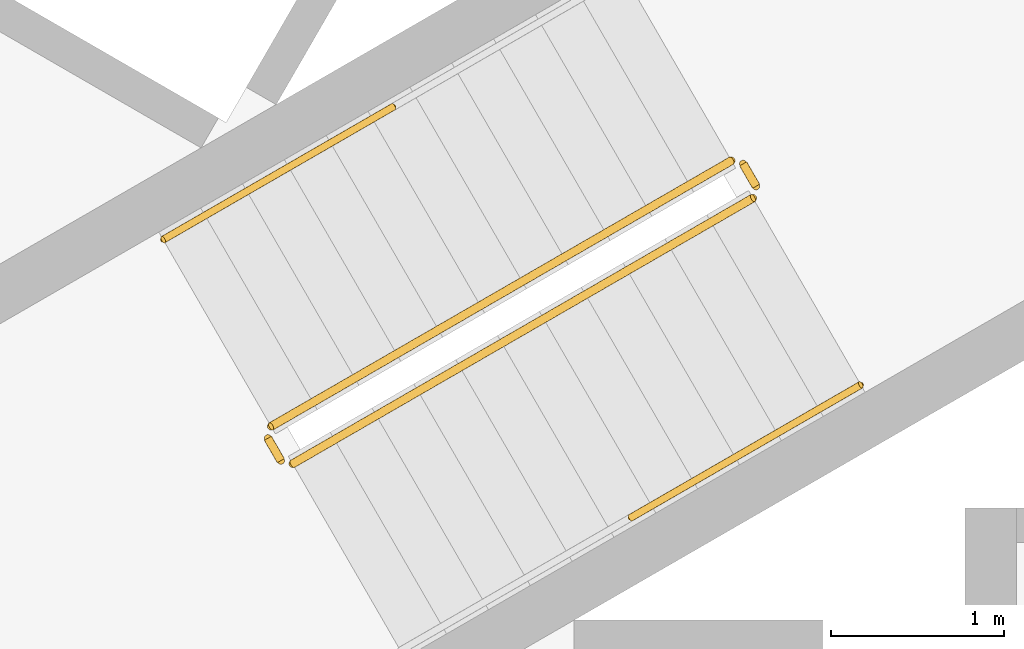
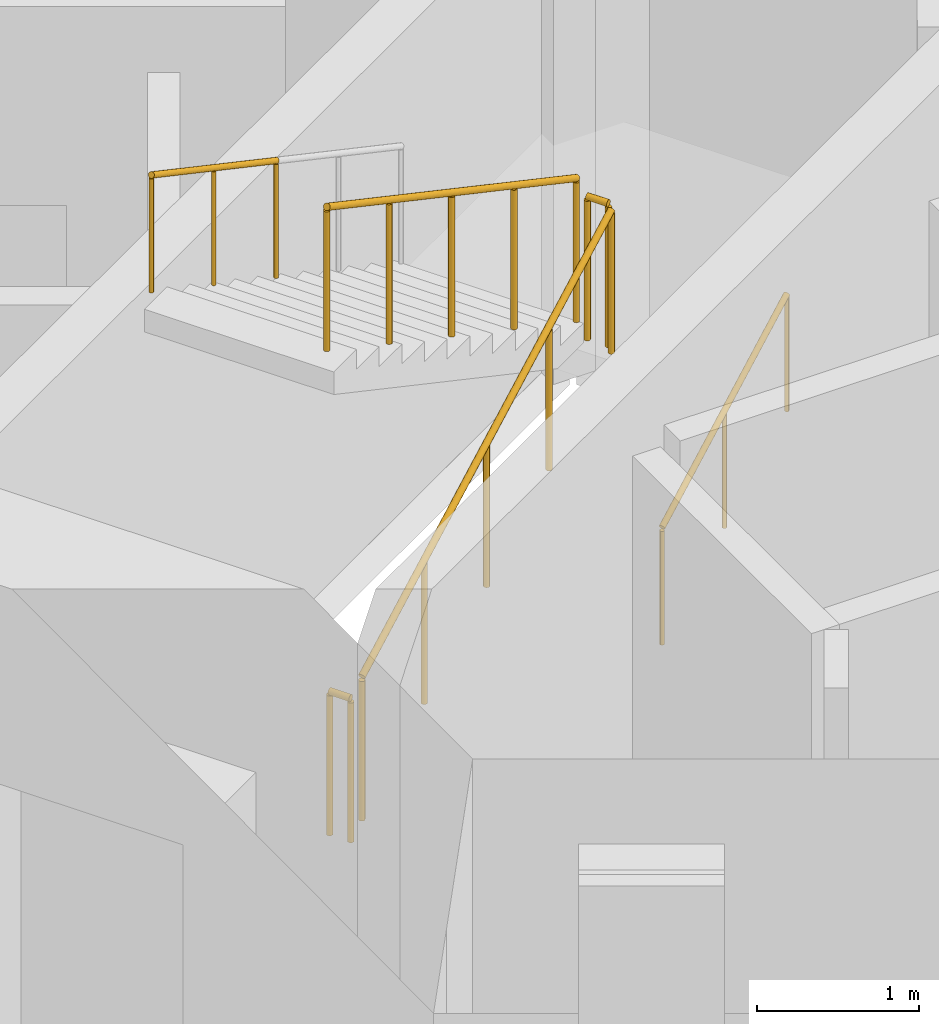
# One storey, part 12 of 17: 6 railings.
"""IFC4 building model written with IfcOpenShell, lengths in metres."""

from ifc_helpers import new_model, si_unit, direction, frame, origin, origin_2d, place, context, subcontext, project, spatial, circle, extrude, material, type_object, element, save


model = new_model("IFC4")

# Units and contexts
model_context = context("Model", 3, precision=1e-05, world=origin(), true_north=direction((0.0, 1.0)))
body_context = subcontext(model_context, "Body", "Model", "MODEL_VIEW")
ifc_project = project(units=[si_unit("LENGTHUNIT", "METRE"), si_unit("AREAUNIT", "SQUARE_METRE"), si_unit("VOLUMEUNIT", "CUBIC_METRE"), si_unit("PLANEANGLEUNIT", "RADIAN"), si_unit("MASSUNIT", "GRAM", prefix="KILO")], contexts=[model_context])

# Site, building, storey
site_placement = place(None, origin())
site = spatial("IfcSite", under=ifc_project, at=site_placement, CompositionType="ELEMENT")
building_placement = place(site_placement, origin())
building = spatial("IfcBuilding", under=site, at=building_placement, Name="Trine Commons Tower", CompositionType="ELEMENT")
storey_placement = place(building_placement, frame((0.0, 0.0, 189.89990234375)))
storey = spatial("IfcBuildingStorey", under=building, at=storey_placement, Name="L49", CompositionType="ELEMENT", Elevation=189.89990234375)

# Railings
ifc_material_1 = material(Name="Stainless steel balustrade", Category="steel")
railing_type_1 = type_object("IfcRailingType", Name="Stair guard, steel balustrade 1100", PredefinedType="GUARDRAIL", material=ifc_material_1)
railing_1_placement = place(storey_placement, frame((74.80517578125, 59.3564453125, 0.150146484375)))
element("IfcRailing", 1, at=railing_1_placement, inside=storey, type_object=railing_type_1, Name="L49 ST2B stair guard 1", PredefinedType="GUARDRAIL", context=body_context, shape_type="SweptSolid", body=[
    extrude(circle(Radius=0.02392578125, at=origin_2d()), frame((0.0, 0.0, 1.076171875), z_axis=(0.76340495495, 0.440743040072, 0.472184759798), x_axis=(-0.499992328818, 0.866029832698, 0.0)), (0.0, 0.0, 1.0), 3.494140625),
    extrude(circle(Radius=0.02099609375, at=origin_2d()), origin(), (0.0, 0.0, 1.0), 1.052001953125),
    extrude(circle(Radius=0.02099609375, at=origin_2d()), frame((0.6669921875, 0.385009765625, 0.41259765625)), (0.0, 0.0, 1.0), 1.052001953125),
    extrude(circle(Radius=0.02099609375, at=origin_2d()), frame((1.333740234375, 0.77001953125, 0.824951171875)), (0.0, 0.0, 1.0), 1.052001953125),
    extrude(circle(Radius=0.02099609375, at=origin_2d()), frame((2.00048828125, 1.155029296875, 1.2373046875)), (0.0, 0.0, 1.0), 1.052001953125),
    extrude(circle(Radius=0.02099609375, at=origin_2d()), frame((2.66748046875, 1.5400390625, 1.64990234375)), (0.0, 0.0, 1.0), 1.052001953125),
])
railing_2_placement = place(storey_placement, frame((77.490966796875, 60.96484375, 1.800048828125)))
element("IfcRailing", 2, at=railing_2_placement, inside=storey, type_object=railing_type_1, Name="L49 ST2B stair guard 2", PredefinedType="GUARDRAIL", context=body_context, shape_type="SweptSolid", body=[
    extrude(circle(Radius=0.02392578125, at=origin_2d()), frame((0.0, 0.0, 1.076171875), z_axis=(-0.501036270542, 0.865426285481, 0.0), x_axis=(-0.865426285481, -0.501036270542, 0.0)), (0.0, 0.0, 1.0), 0.150146484375),
    extrude(circle(Radius=0.02099609375, at=origin_2d()), origin(), (0.0, 0.0, 1.0), 1.052001953125),
    extrude(circle(Radius=0.02099609375, at=origin_2d()), frame((-0.0751953125, 0.1298828125, 0.0)), (0.0, 0.0, 1.0), 1.052001953125),
])
railing_3_placement = place(storey_placement, frame((77.34765625, 61.113037109375, 1.9501953125)))
element("IfcRailing", 3, at=railing_3_placement, inside=storey, type_object=railing_type_1, Name="L49 ST2B stair guard 3", PredefinedType="GUARDRAIL", context=body_context, shape_type="SweptSolid", body=[
    extrude(circle(Radius=0.02392578125, at=origin_2d()), frame((0.0, 0.0, 1.076171875), z_axis=(-0.76340495495, -0.440743040072, 0.472184759798), x_axis=(0.499992328818, -0.866029832698, 0.0)), (0.0, 0.0, 1.0), 3.494140625),
    extrude(circle(Radius=0.02099609375, at=origin_2d()), origin(), (0.0, 0.0, 1.0), 1.052001953125),
    extrude(circle(Radius=0.02099609375, at=origin_2d()), frame((-0.6669921875, -0.385009765625, 0.41259765625)), (0.0, 0.0, 1.0), 1.052001953125),
    extrude(circle(Radius=0.02099609375, at=origin_2d()), frame((-1.333740234375, -0.77001953125, 0.824951171875)), (0.0, 0.0, 1.0), 1.052001953125),
    extrude(circle(Radius=0.02099609375, at=origin_2d()), frame((-2.00048828125, -1.155029296875, 1.2373046875)), (0.0, 0.0, 1.0), 1.052001953125),
    extrude(circle(Radius=0.02099609375, at=origin_2d()), frame((-2.66748046875, -1.5400390625, 1.64990234375)), (0.0, 0.0, 1.0), 1.052001953125),
])
railing_4_placement = place(storey_placement, frame((74.73681640625, 59.374755859375, 0.0)))
element("IfcRailing", 4, at=railing_4_placement, inside=storey, type_object=railing_type_1, Name="L49 ST2B stair guard 4", PredefinedType="GUARDRAIL", context=body_context, shape_type="SweptSolid", body=[
    extrude(circle(Radius=0.02392578125, at=origin_2d()), frame((0.0, 0.0, 1.076171875), z_axis=(-0.499816412211, 0.866131372301, 0.0), x_axis=(-0.866131372301, -0.499816412211, 0.0)), (0.0, 0.0, 1.0), 0.14990234375),
    extrude(circle(Radius=0.02099609375, at=origin_2d()), origin(), (0.0, 0.0, 1.0), 1.052001953125),
    extrude(circle(Radius=0.02099609375, at=origin_2d()), frame((-0.074951171875, 0.1298828125, 0.0)), (0.0, 0.0, 1.0), 1.052001953125),
])
ifc_material_2 = material(Name="Stainless steel handrail", Category="steel")
railing_type_2 = type_object("IfcRailingType", Name="Stair handrail, steel 900", PredefinedType="HANDRAIL", material=ifc_material_2)
railing_5_placement = place(storey_placement, frame((76.763916015625, 59.0439453125, 0.97509765625)))
element("IfcRailing", 5, at=railing_5_placement, inside=storey, type_object=railing_type_2, Name="L49 ST2B stair handrail 2", PredefinedType="HANDRAIL", context=body_context, shape_type="SweptSolid", body=[
    extrude(circle(Radius=0.02099609375, at=origin_2d()), frame((0.0, 0.0, 0.87890625), z_axis=(0.76340495495, 0.440743040072, 0.472184759798), x_axis=(-0.499992328818, 0.866029832698, 0.0)), (0.0, 0.0, 1.0), 1.7470703125),
    extrude(circle(Radius=0.01513671875, at=origin_2d()), origin(), (0.0, 0.0, 1.0), 0.85791015625),
    extrude(circle(Radius=0.01513671875, at=origin_2d()), frame((0.6669921875, 0.385009765625, 0.41259765625)), (0.0, 0.0, 1.0), 0.85791015625),
    extrude(circle(Radius=0.01513671875, at=origin_2d()), frame((1.333740234375, 0.77001953125, 0.824951171875)), (0.0, 0.0, 1.0), 0.85791015625),
])
railing_6_placement = place(storey_placement, frame((75.388916015625, 61.425537109375, 2.775146484375)))
element("IfcRailing", 6, at=railing_6_placement, inside=storey, type_object=railing_type_2, Name="L49 ST2B stair handrail 4", PredefinedType="HANDRAIL", context=body_context, shape_type="SweptSolid", body=[
    extrude(circle(Radius=0.02099609375, at=origin_2d()), frame((0.0, 0.0, 0.87890625), z_axis=(-0.76340495495, -0.440743040072, 0.472184759798), x_axis=(0.499992328818, -0.866029832698, 0.0)), (0.0, 0.0, 1.0), 1.7470703125),
    extrude(circle(Radius=0.01513671875, at=origin_2d()), origin(), (0.0, 0.0, 1.0), 0.85791015625),
    extrude(circle(Radius=0.01513671875, at=origin_2d()), frame((-0.6669921875, -0.385009765625, 0.41259765625)), (0.0, 0.0, 1.0), 0.85791015625),
    extrude(circle(Radius=0.01513671875, at=origin_2d()), frame((-1.333740234375, -0.77001953125, 0.824951171875)), (0.0, 0.0, 1.0), 0.85791015625),
])

save(model, "model.ifc")
